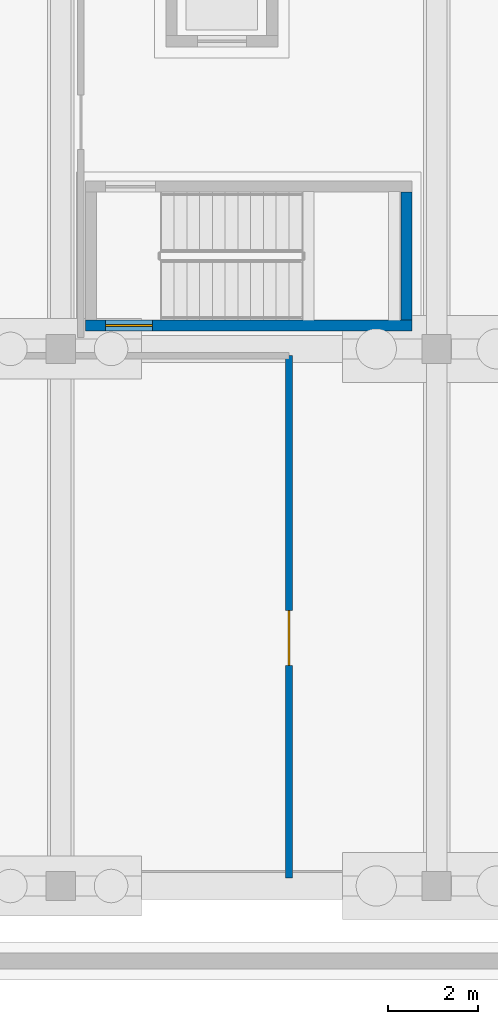
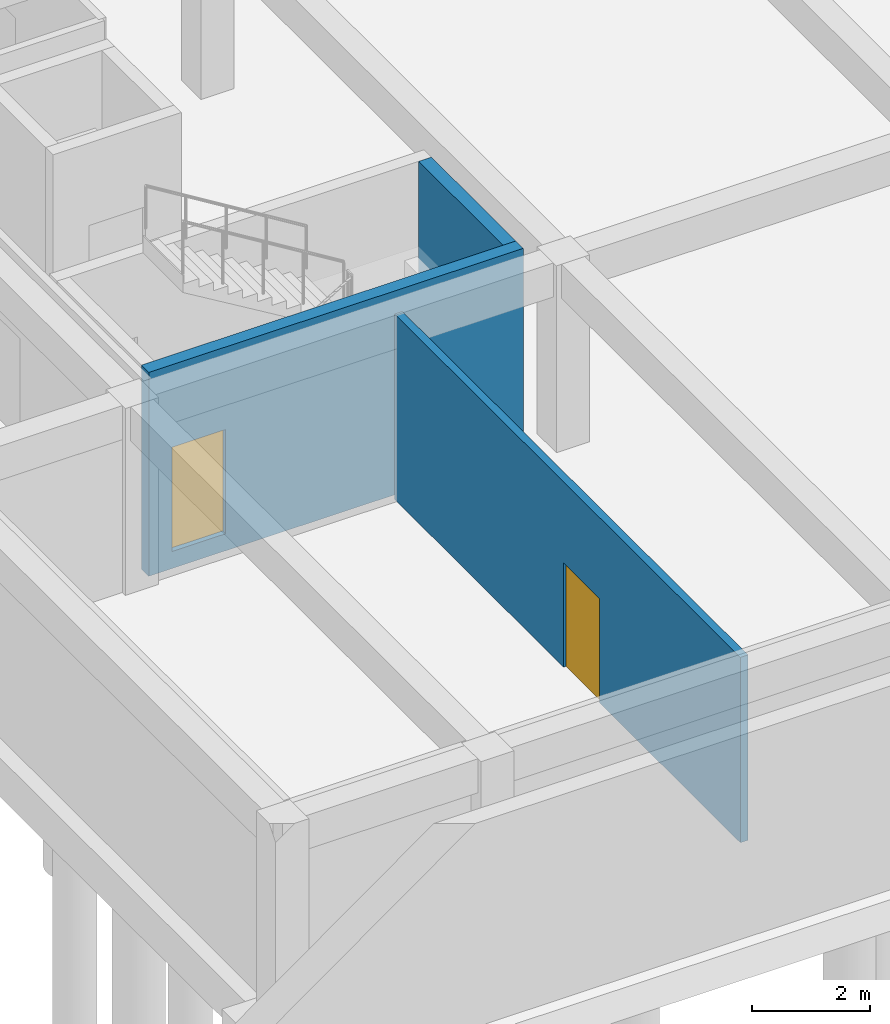
# One storey, part 4 of 10: 3 walls, 2 doors, 2 openings.
"""IFC4 building model written with IfcOpenShell, lengths in metres."""

from ifc_helpers import new_model, si_unit, direction, frame, frame_2d, origin, place, context, subcontext, project, spatial, rectangle, extrude, material, layer, layer_set, type_object, element, fill, save


model = new_model("IFC4")

# Units and contexts
model_context = context("Model", 3, precision=1e-05, world=origin(), true_north=direction((0.0, 1.0)))
body_context = subcontext(model_context, "Body", "Model", "MODEL_VIEW")
ifc_project = project(units=[si_unit("LENGTHUNIT", "METRE"), si_unit("AREAUNIT", "SQUARE_METRE"), si_unit("VOLUMEUNIT", "CUBIC_METRE"), si_unit("PLANEANGLEUNIT", "RADIAN"), si_unit("MASSUNIT", "GRAM", prefix="KILO")], contexts=[model_context])

# Site, building, storey
site_placement = place(None, origin())
site = spatial("IfcSite", under=ifc_project, at=site_placement, CompositionType="ELEMENT")
building_placement = place(site_placement, origin())
building = spatial("IfcBuilding", under=site, at=building_placement, Name="Kestramere Prow Commons", CompositionType="ELEMENT")
storey_placement = place(building_placement, frame((0.0, 0.0, -4.199951171875)))
storey = spatial("IfcBuildingStorey", under=building, at=storey_placement, Name="B1", CompositionType="ELEMENT", Elevation=-4.199951171875)

# Wall, opening, door
ifc_material_1 = material(Name="Concrete C40/50", Category="concrete")
ifc_layer_1 = layer(ifc_material_1, 0.25)
ifc_layer_set_1 = layer_set([ifc_layer_1], Name="Concrete C40/50")
wall_type_1 = type_object("IfcWallType", Name="W-CORE-250", PredefinedType="SHEAR", material=ifc_layer_set_1)
wall_1_placement = place(storey_placement, frame((60.550048828125, 12.52490234375, -0.35009765625), z_axis=(0.0, 0.0, 1.0), x_axis=(1.0, 0.0, 0.0)))
wall_1 = element("IfcWall", 1, at=wall_1_placement, inside=storey, type_object=wall_type_1, Name="SW-ST-M1-B1-L", PredefinedType="SHEAR", context=body_context, shape_type="SweptSolid", body=[
    extrude(rectangle(XDim=7.300048828125, YDim=0.25, at=frame_2d((3.64990234375, 0.0))), origin(), (0.0, 0.0, 1.0), 4.199951171875),
])
opening_1_placement = place(wall_1_placement, frame((0.449951171875, 0.0, 0.35009765625)))
opening_1 = element("IfcOpeningElement", 2, at=opening_1_placement, cuts=wall_1, Name="Opening ID-01", PredefinedType="OPENING", context=body_context, shape_type="SweptSolid", body=[
    extrude(rectangle(XDim=1.050048828125, YDim=2.14990234375, at=frame_2d((0.52490234375, 1.074951171875))), frame((0.0, 0.139892578125, 0.0), z_axis=(0.0, -1.0, 0.0), x_axis=(1.0, 0.0, 0.0)), (0.0, 0.0, 1.0), 0.280029296875),
])
ifc_material_2 = material(Name="Fire-Rated Timber and Steel Frame", Category="steel")
door_type_1 = type_object("IfcDoorType", Name="FD-ST-01", OperationType="NOTDEFINED", PredefinedType="DOOR", material=ifc_material_2)
door_1_placement = place(opening_1_placement, origin())
door_1 = element("IfcDoor", 3, at=door_1_placement, inside=storey, type_object=door_type_1, Name="ST-M1 B1 Protected Stair Door", OperationType="SINGLE_SWING_LEFT", OverallHeight=2.14990234375, OverallWidth=1.050048828125, PredefinedType="DOOR", context=body_context, shape_type="SweptSolid", body=[
    extrude(rectangle(XDim=1.050048828125, YDim=2.14990234375, at=frame_2d((0.52490234375, 1.074951171875))), frame((0.0, 0.02490234375, 0.0), z_axis=(0.0, -1.0, 0.0), x_axis=(1.0, 0.0, 0.0)), (0.0, 0.0, 1.0), 0.050048828125),
])
fill(opening_1, door_1)

# Wall
wall_2_placement = place(storey_placement, frame((67.72509765625, 12.64990234375, -0.35009765625), z_axis=(0.0, 0.0, 1.0), x_axis=(0.0, 1.0, 0.0)))
element("IfcWall", 4, at=wall_2_placement, inside=storey, type_object=wall_type_1, Name="SW-ST-M1-B1-F", PredefinedType="SHEAR", context=body_context, shape_type="SweptSolid", body=[
    extrude(rectangle(XDim=2.85009765625, YDim=0.25, at=frame_2d((1.425048828125, 0.0))), origin(), (0.0, 0.0, 1.0), 4.199951171875),
])

# Wall, opening, door
ifc_material_3 = material(Name="Masonry Compartment Wall", Category="masonry")
ifc_layer_2 = layer(ifc_material_3, 0.14990234375)
ifc_layer_set_2 = layer_set([ifc_layer_2], Name="Masonry Compartment Wall")
wall_type_2 = type_object("IfcWallType", Name="W-PART-150", PredefinedType="PARTITIONING", material=ifc_layer_set_2)
wall_3_placement = place(storey_placement, frame((65.10009765625, 0.179931640625, 0.0), z_axis=(0.0, 0.0, 1.0), x_axis=(0.0, 1.0, 0.0)))
wall_3 = element("IfcWall", 5, at=wall_3_placement, inside=storey, type_object=wall_type_2, Name="Interior Partition PW-B1-WTR-E", PredefinedType="PARTITIONING", context=body_context, shape_type="SweptSolid", body=[
    extrude(rectangle(XDim=11.670166015625, YDim=0.14990234375, at=frame_2d((5.8349609375, 0.0))), origin(), (0.0, 0.0, 1.0), 3.820068359375),
])
opening_2_placement = place(wall_3_placement, frame((4.75, 0.0, 0.0)))
opening_2 = element("IfcOpeningElement", 6, at=opening_2_placement, cuts=wall_3, Name="Opening ID-07", PredefinedType="OPENING", context=body_context, shape_type="SweptSolid", body=[
    extrude(rectangle(XDim=1.219970703125, YDim=2.14990234375, at=frame_2d((0.60986328125, 1.074951171875))), frame((0.0, 0.08984375, 0.0), z_axis=(0.0, -1.0, 0.0), x_axis=(1.0, 0.0, 0.0)), (0.0, 0.0, 1.0), 0.179931640625),
])
ifc_material_4 = material(Name="Galvanised Steel S275JR Plant Room Door", Category="steel")
door_type_2 = type_object("IfcDoorType", Name="FD-PL-01", OperationType="NOTDEFINED", PredefinedType="DOOR", material=ifc_material_4)
door_2_placement = place(opening_2_placement, origin())
door_2 = element("IfcDoor", 7, at=door_2_placement, inside=storey, type_object=door_type_2, Name="Interior Door DR-B1-WTR", OperationType="SINGLE_SWING_LEFT", OverallHeight=2.14990234375, OverallWidth=1.219970703125, PredefinedType="DOOR", context=body_context, shape_type="SweptSolid", body=[
    extrude(rectangle(XDim=1.219970703125, YDim=2.14990234375, at=frame_2d((0.60986328125, 1.074951171875))), frame((0.0, 0.02490234375, 0.0), z_axis=(0.0, -1.0, 0.0), x_axis=(1.0, 0.0, 0.0)), (0.0, 0.0, 1.0), 0.050048828125),
])
fill(opening_2, door_2)

save(model, "model.ifc")
